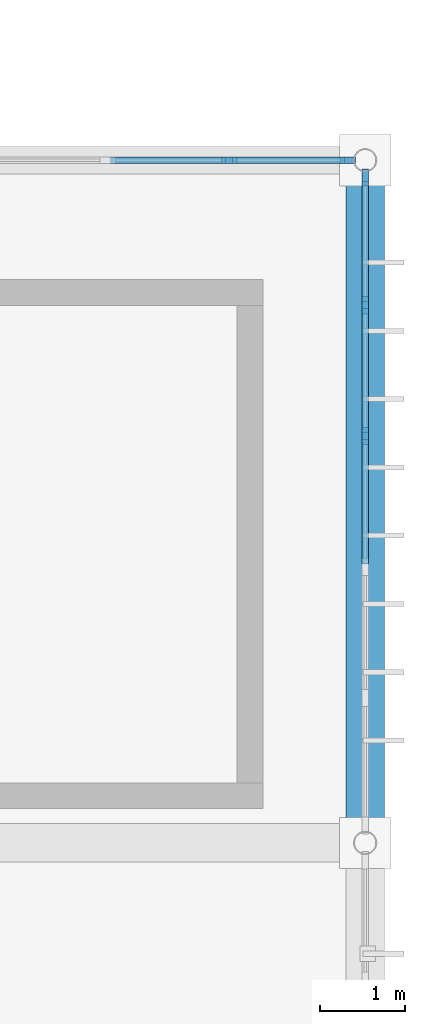
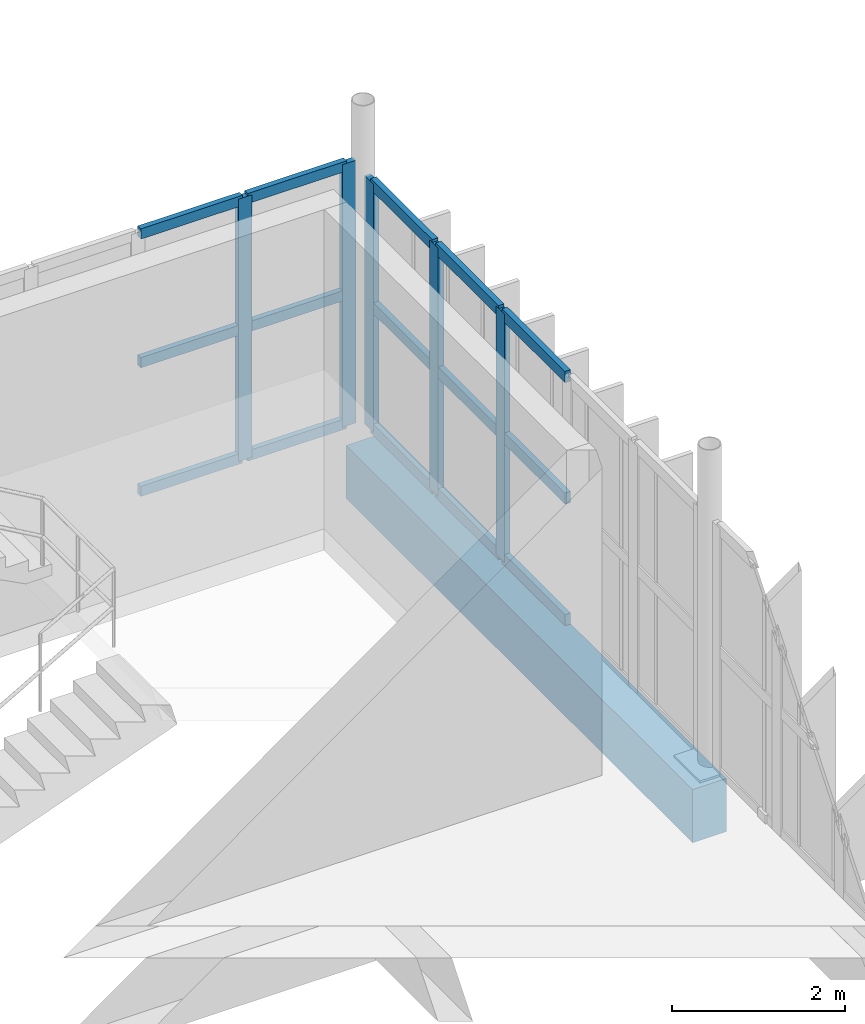
# One storey, part 37 of 81: 20 members, 1 beam, 2 elements without a shape of their own.
"""IFC4 building model written with IfcOpenShell, lengths in metres."""

from ifc_helpers import new_model, si_unit, direction, frame, origin, origin_2d, place, context, subcontext, project, spatial, rectangle, extrude, material, material_profile, profile_set, type_object, element, aggregate, save


model = new_model("IFC4")

# Units and contexts
model_context = context("Model", 3, precision=1e-05, world=origin(), true_north=direction((0.0, 1.0)))
body_context = subcontext(model_context, "Body", "Model", "MODEL_VIEW")
ifc_project = project(units=[si_unit("LENGTHUNIT", "METRE"), si_unit("AREAUNIT", "SQUARE_METRE"), si_unit("VOLUMEUNIT", "CUBIC_METRE"), si_unit("PLANEANGLEUNIT", "RADIAN"), si_unit("MASSUNIT", "GRAM", prefix="KILO")], contexts=[model_context])

# Site, building, storey
site_placement = place(None, origin())
site = spatial("IfcSite", under=ifc_project, at=site_placement, CompositionType="ELEMENT")
building_placement = place(site_placement, origin())
building = spatial("IfcBuilding", under=site, at=building_placement, Name="Vourika Railside Aquatics Centre", CompositionType="ELEMENT")
storey_placement = place(building_placement, frame((0.0, 0.0, 4.800048828125)))
storey = spatial("IfcBuildingStorey", under=building, at=storey_placement, Name="L01", CompositionType="ELEMENT", Elevation=4.800048828125)

# Beam
ifc_material_1 = material(Name="Concrete C35/45", Category="concrete")
ifc_material_profile_1 = material_profile(ifc_material_1, rectangle(XDim=0.449951171875, YDim=0.75, at=origin_2d()), Name="RC 450x750")
ifc_profile_set_1 = profile_set([ifc_material_profile_1], Name="Concrete C35/45")
beam_type = type_object("IfcBeamType", Name="BM-GIRD-450x750", PredefinedType="BEAM", material=ifc_profile_set_1)
beam_placement = place(storey_placement, frame((168.0, 84.0, -0.675048828125), z_axis=(0.0, 1.0, 0.0), x_axis=(-1.0, 0.0, 0.0)))
element("IfcBeam", 1, at=beam_placement, inside=storey, type_object=beam_type, Name="Floor Girder GY-L01-297", PredefinedType="BEAM", context=body_context, shape_type="SweptSolid", body=[
    extrude(rectangle(XDim=0.449951171875, YDim=0.75, at=origin_2d()), origin(), (0.0, 0.0, 1.0), 8.0),
])

# Curtain wall, members
ifc_material_2 = material(Name="Anodized thermally broken aluminium", Category="aluminium")
curtain_wall_type_1 = type_object("IfcCurtainWallType", Name="CW-FOYE", PredefinedType="NOTDEFINED", material=ifc_material_2)
curtain_wall_1_placement = place(storey_placement, origin())
curtain_wall_1 = element("IfcCurtainWall", 2, at=curtain_wall_1_placement, inside=storey, type_object=curtain_wall_type_1, Name="East Arrival Facade Curtain Wall L01-6", PredefinedType="NOTDEFINED")
ifc_material_3 = material(Name="Anodized aluminium mullion", Category="aluminium")
ifc_material_profile_2 = material_profile(ifc_material_3, rectangle(XDim=0.074951171875, YDim=0.199951171875, at=origin_2d()), Name="ALU-M 75x200")
ifc_profile_set_2 = profile_set([ifc_material_profile_2], Name="Anodized aluminium mullion")
member_type_1 = type_object("IfcMemberType", Name="CWM-FOYE", PredefinedType="MULLION", material=ifc_profile_set_2)
member_1_placement = place(storey_placement, frame((168.0, 88.7666015625, 0.0), z_axis=(0.0, 0.0, 1.0), x_axis=(-1.0, 0.0, 0.0)))
member_1 = element("IfcMember", 3, at=member_1_placement, type_object=member_type_1, Name="CW10 mullion 4", PredefinedType="MULLION", context=body_context, shape_type="SweptSolid", body=[
    extrude(rectangle(XDim=0.074951171875, YDim=0.199951171875, at=origin_2d()), origin(), (0.0, 0.0, 1.0), 3.5),
])
member_2_placement = place(storey_placement, frame((168.0, 90.300048828125, 0.0), z_axis=(0.0, 0.0, 1.0), x_axis=(-1.0, 0.0, 0.0)))
member_2 = element("IfcMember", 4, at=member_2_placement, type_object=member_type_1, Name="CW10 mullion 5", PredefinedType="MULLION", context=body_context, shape_type="SweptSolid", body=[
    extrude(rectangle(XDim=0.074951171875, YDim=0.199951171875, at=origin_2d()), origin(), (0.0, 0.0, 1.0), 3.5),
])
member_3_placement = place(storey_placement, frame((168.0, 91.7958984375, 0.0), z_axis=(0.0, 0.0, 1.0), x_axis=(-1.0, 0.0, 0.0)))
member_3 = element("IfcMember", 5, at=member_3_placement, type_object=member_type_1, Name="CW10 mullion 6", PredefinedType="MULLION", context=body_context, shape_type="SweptSolid", body=[
    extrude(rectangle(XDim=0.074951171875, YDim=0.199951171875, at=origin_2d()), origin(), (0.0, 0.0, 1.0), 3.5),
])

curtain_wall_type_2 = type_object("IfcCurtainWallType", Name="CW-FOYS", PredefinedType="NOTDEFINED", material=ifc_material_2)
curtain_wall_2_placement = place(storey_placement, origin())
curtain_wall_2 = element("IfcCurtainWall", 6, at=curtain_wall_2_placement, inside=storey, type_object=curtain_wall_type_2, Name="Foyer North Glazed Facade L01-3", PredefinedType="NOTDEFINED")
ifc_material_profile_3 = material_profile(ifc_material_3, rectangle(XDim=0.072021484375, YDim=0.181884765625, at=origin_2d()), Name="ALU-M 72x182")
ifc_profile_set_3 = profile_set([ifc_material_profile_3], Name="Anodized aluminium mullion")
member_type_2 = type_object("IfcMemberType", Name="CWM-FOYS", PredefinedType="MULLION", material=ifc_profile_set_3)
member_4_placement = place(storey_placement, frame((167.797607421875, 92.0, 0.0), z_axis=(0.0, 0.0, 1.0), x_axis=(0.0, -1.0, 0.0)))
member_4 = element("IfcMember", 7, at=member_4_placement, type_object=member_type_2, Name="CW11 mullion 1", PredefinedType="MULLION", context=body_context, shape_type="SweptSolid", body=[
    extrude(rectangle(XDim=0.072021484375, YDim=0.181884765625, at=origin_2d()), origin(), (0.0, 0.0, 1.0), 3.699951171875),
])
member_5_placement = place(storey_placement, frame((166.407958984375, 92.0, 0.0), z_axis=(0.0, 0.0, 1.0), x_axis=(0.0, -1.0, 0.0)))
member_5 = element("IfcMember", 8, at=member_5_placement, type_object=member_type_2, Name="CW11 mullion 2", PredefinedType="MULLION", context=body_context, shape_type="SweptSolid", body=[
    extrude(rectangle(XDim=0.072021484375, YDim=0.181884765625, at=origin_2d()), origin(), (0.0, 0.0, 1.0), 3.699951171875),
])

# Member
ifc_material_4 = material(Name="Anodized aluminium transom", Category="aluminium")
ifc_material_profile_4 = material_profile(ifc_material_4, rectangle(XDim=0.074951171875, YDim=0.157958984375, at=origin_2d()), Name="ALU-T 75x158")
ifc_profile_set_4 = profile_set([ifc_material_profile_4], Name="Anodized aluminium transom")
member_type_3 = type_object("IfcMemberType", Name="CWT-FOYE", PredefinedType="USERDEFINED", material=ifc_profile_set_4)
member_6_placement = place(storey_placement, frame((168.0, 87.270751953125, 0.037353515625), z_axis=(0.0, 1.0, 0.0), x_axis=(-1.0, 0.0, 0.0)))
member_6 = element("IfcMember", 9, at=member_6_placement, type_object=member_type_3, Name="CW10 transom 3.1", ObjectType="TRANSOM", PredefinedType="USERDEFINED", context=body_context, shape_type="SweptSolid", body=[
    extrude(rectangle(XDim=0.074951171875, YDim=0.157958984375, at=origin_2d()), origin(), (0.0, 0.0, 1.0), 1.45849609375),
])

member_7_placement = place(storey_placement, frame((168.0, 87.270751953125, 1.75), z_axis=(0.0, 1.0, 0.0), x_axis=(-1.0, 0.0, 0.0)))
member_7 = element("IfcMember", 10, at=member_7_placement, type_object=member_type_3, Name="CW10 transom 3.2", ObjectType="TRANSOM", PredefinedType="USERDEFINED", context=body_context, shape_type="SweptSolid", body=[
    extrude(rectangle(XDim=0.074951171875, YDim=0.157958984375, at=origin_2d()), origin(), (0.0, 0.0, 1.0), 1.45849609375),
])

member_8_placement = place(storey_placement, frame((168.0, 87.270751953125, 3.46240234375), z_axis=(0.0, 1.0, 0.0), x_axis=(-1.0, 0.0, 0.0)))
member_8 = element("IfcMember", 11, at=member_8_placement, type_object=member_type_3, Name="CW10 transom 3.3", ObjectType="TRANSOM", PredefinedType="USERDEFINED", context=body_context, shape_type="SweptSolid", body=[
    extrude(rectangle(XDim=0.074951171875, YDim=0.157958984375, at=origin_2d()), origin(), (0.0, 0.0, 1.0), 1.45849609375),
])

member_9_placement = place(storey_placement, frame((168.0, 88.80419921875, 0.037353515625), z_axis=(0.0, 1.0, 0.0), x_axis=(-1.0, 0.0, 0.0)))
member_9 = element("IfcMember", 12, at=member_9_placement, type_object=member_type_3, Name="CW10 transom 4.1", ObjectType="TRANSOM", PredefinedType="USERDEFINED", context=body_context, shape_type="SweptSolid", body=[
    extrude(rectangle(XDim=0.074951171875, YDim=0.157958984375, at=origin_2d()), origin(), (0.0, 0.0, 1.0), 1.45849609375),
])

member_10_placement = place(storey_placement, frame((168.0, 88.80419921875, 1.75), z_axis=(0.0, 1.0, 0.0), x_axis=(-1.0, 0.0, 0.0)))
member_10 = element("IfcMember", 13, at=member_10_placement, type_object=member_type_3, Name="CW10 transom 4.2", ObjectType="TRANSOM", PredefinedType="USERDEFINED", context=body_context, shape_type="SweptSolid", body=[
    extrude(rectangle(XDim=0.074951171875, YDim=0.157958984375, at=origin_2d()), origin(), (0.0, 0.0, 1.0), 1.45849609375),
])

member_11_placement = place(storey_placement, frame((168.0, 88.80419921875, 3.46240234375), z_axis=(0.0, 1.0, 0.0), x_axis=(-1.0, 0.0, 0.0)))
member_11 = element("IfcMember", 14, at=member_11_placement, type_object=member_type_3, Name="CW10 transom 4.3", ObjectType="TRANSOM", PredefinedType="USERDEFINED", context=body_context, shape_type="SweptSolid", body=[
    extrude(rectangle(XDim=0.074951171875, YDim=0.157958984375, at=origin_2d()), origin(), (0.0, 0.0, 1.0), 1.45849609375),
])

member_12_placement = place(storey_placement, frame((168.0, 90.337646484375, 0.037353515625), z_axis=(0.0, 1.0, 0.0), x_axis=(-1.0, 0.0, 0.0)))
member_12 = element("IfcMember", 15, at=member_12_placement, type_object=member_type_3, Name="CW10 transom 5.1", ObjectType="TRANSOM", PredefinedType="USERDEFINED", context=body_context, shape_type="SweptSolid", body=[
    extrude(rectangle(XDim=0.074951171875, YDim=0.157958984375, at=origin_2d()), origin(), (0.0, 0.0, 1.0), 1.4208984375),
])

member_13_placement = place(storey_placement, frame((168.0, 90.337646484375, 1.75), z_axis=(0.0, 1.0, 0.0), x_axis=(-1.0, 0.0, 0.0)))
member_13 = element("IfcMember", 16, at=member_13_placement, type_object=member_type_3, Name="CW10 transom 5.2", ObjectType="TRANSOM", PredefinedType="USERDEFINED", context=body_context, shape_type="SweptSolid", body=[
    extrude(rectangle(XDim=0.074951171875, YDim=0.157958984375, at=origin_2d()), origin(), (0.0, 0.0, 1.0), 1.4208984375),
])

member_14_placement = place(storey_placement, frame((168.0, 90.337646484375, 3.46240234375), z_axis=(0.0, 1.0, 0.0), x_axis=(-1.0, 0.0, 0.0)))
member_14 = element("IfcMember", 17, at=member_14_placement, type_object=member_type_3, Name="CW10 transom 5.3", ObjectType="TRANSOM", PredefinedType="USERDEFINED", context=body_context, shape_type="SweptSolid", body=[
    extrude(rectangle(XDim=0.074951171875, YDim=0.157958984375, at=origin_2d()), origin(), (0.0, 0.0, 1.0), 1.4208984375),
])

aggregate(curtain_wall_1, [member_1, member_2, member_3, member_6, member_7, member_8, member_9, member_10, member_11, member_12, member_13, member_14])

ifc_material_profile_5 = material_profile(ifc_material_4, rectangle(XDim=0.072021484375, YDim=0.14404296875, at=origin_2d()), Name="ALU-T 72x144")
ifc_profile_set_5 = profile_set([ifc_material_profile_5], Name="Anodized aluminium transom")
member_type_4 = type_object("IfcMemberType", Name="CWT-FOYS", PredefinedType="USERDEFINED", material=ifc_profile_set_5)
member_15_placement = place(storey_placement, frame((167.761474609375, 92.0, 0.035888671875), z_axis=(-1.0, 0.0, 0.0), x_axis=(0.0, -1.0, 0.0)))
member_15 = element("IfcMember", 18, at=member_15_placement, type_object=member_type_4, Name="CW11 transom 1.1", ObjectType="TRANSOM", PredefinedType="USERDEFINED", context=body_context, shape_type="SweptSolid", body=[
    extrude(rectangle(XDim=0.072021484375, YDim=0.14404296875, at=origin_2d()), origin(), (0.0, 0.0, 1.0), 1.317626953125),
])

member_16_placement = place(storey_placement, frame((167.761474609375, 92.0, 1.849853515625), z_axis=(-1.0, 0.0, 0.0), x_axis=(0.0, -1.0, 0.0)))
member_16 = element("IfcMember", 19, at=member_16_placement, type_object=member_type_4, Name="CW11 transom 1.2", ObjectType="TRANSOM", PredefinedType="USERDEFINED", context=body_context, shape_type="SweptSolid", body=[
    extrude(rectangle(XDim=0.072021484375, YDim=0.14404296875, at=origin_2d()), origin(), (0.0, 0.0, 1.0), 1.317626953125),
])

member_17_placement = place(storey_placement, frame((167.761474609375, 92.0, 3.6640625), z_axis=(-1.0, 0.0, 0.0), x_axis=(0.0, -1.0, 0.0)))
member_17 = element("IfcMember", 20, at=member_17_placement, type_object=member_type_4, Name="CW11 transom 1.3", ObjectType="TRANSOM", PredefinedType="USERDEFINED", context=body_context, shape_type="SweptSolid", body=[
    extrude(rectangle(XDim=0.072021484375, YDim=0.14404296875, at=origin_2d()), origin(), (0.0, 0.0, 1.0), 1.317626953125),
])

member_18_placement = place(storey_placement, frame((166.371826171875, 92.0, 0.035888671875), z_axis=(-1.0, 0.0, 0.0), x_axis=(0.0, -1.0, 0.0)))
member_18 = element("IfcMember", 21, at=member_18_placement, type_object=member_type_4, Name="CW11 transom 2.1", ObjectType="TRANSOM", PredefinedType="USERDEFINED", context=body_context, shape_type="SweptSolid", body=[
    extrude(rectangle(XDim=0.072021484375, YDim=0.14404296875, at=origin_2d()), origin(), (0.0, 0.0, 1.0), 1.353515625),
])

member_19_placement = place(storey_placement, frame((166.371826171875, 92.0, 1.849853515625), z_axis=(-1.0, 0.0, 0.0), x_axis=(0.0, -1.0, 0.0)))
member_19 = element("IfcMember", 22, at=member_19_placement, type_object=member_type_4, Name="CW11 transom 2.2", ObjectType="TRANSOM", PredefinedType="USERDEFINED", context=body_context, shape_type="SweptSolid", body=[
    extrude(rectangle(XDim=0.072021484375, YDim=0.14404296875, at=origin_2d()), origin(), (0.0, 0.0, 1.0), 1.353515625),
])

member_20_placement = place(storey_placement, frame((166.371826171875, 92.0, 3.6640625), z_axis=(-1.0, 0.0, 0.0), x_axis=(0.0, -1.0, 0.0)))
member_20 = element("IfcMember", 23, at=member_20_placement, type_object=member_type_4, Name="CW11 transom 2.3", ObjectType="TRANSOM", PredefinedType="USERDEFINED", context=body_context, shape_type="SweptSolid", body=[
    extrude(rectangle(XDim=0.072021484375, YDim=0.14404296875, at=origin_2d()), origin(), (0.0, 0.0, 1.0), 1.353515625),
])

aggregate(curtain_wall_2, [member_4, member_5, member_15, member_16, member_17, member_18, member_19, member_20])

save(model, "model.ifc")
